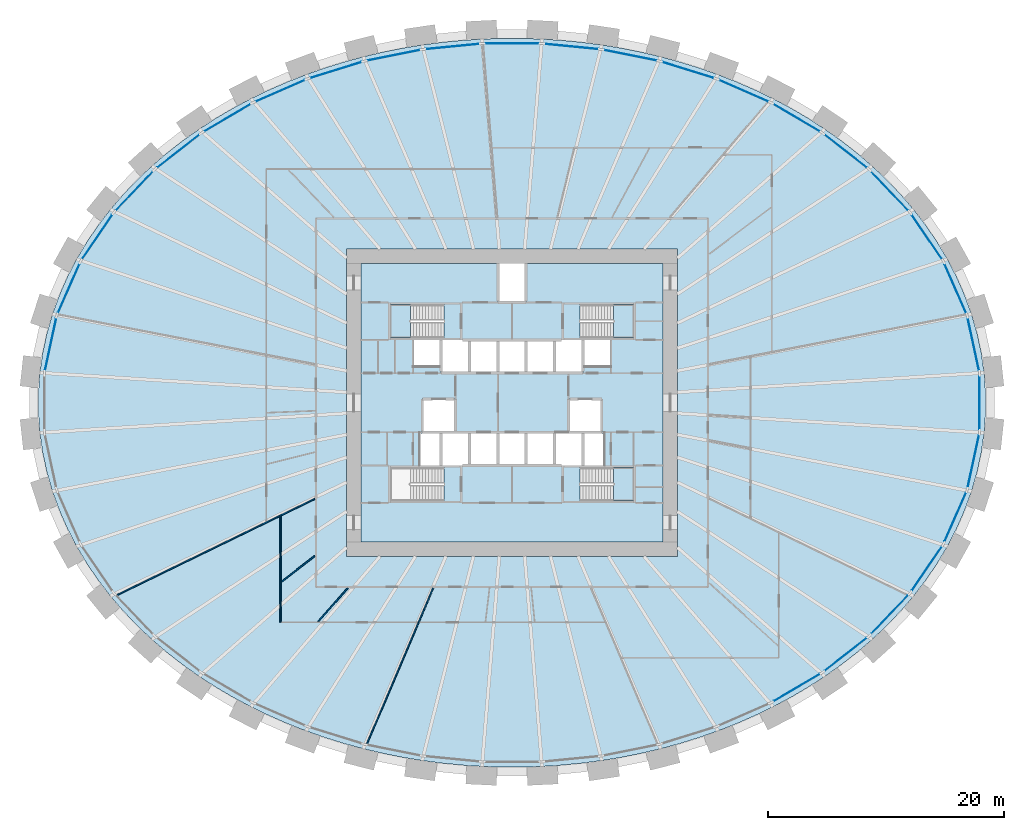
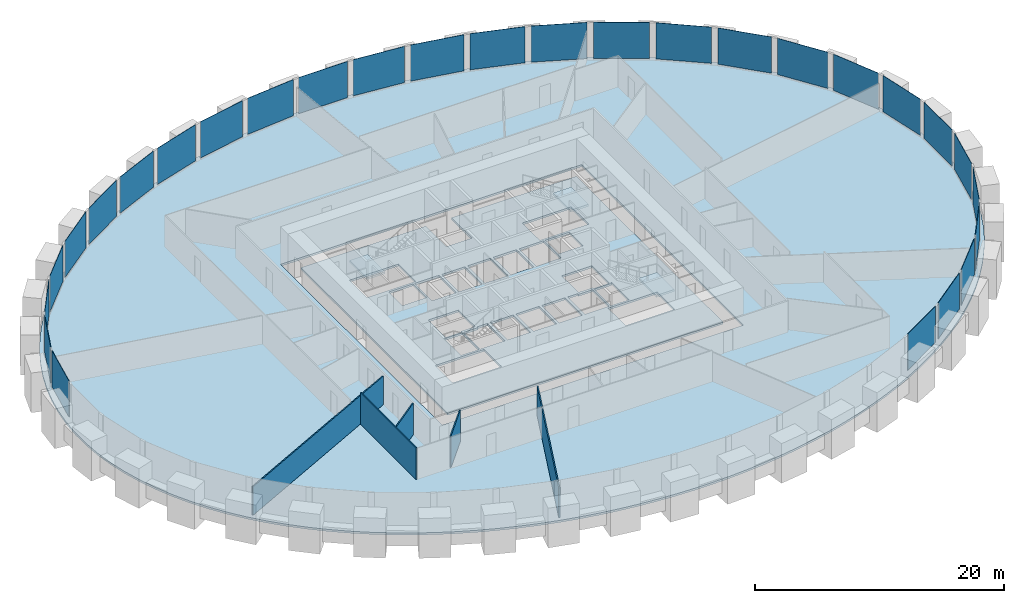
# One storey, part 5 of 11: 28 plates, 5 slabs, 5 walls, 4 elements without a shape of their own.
"""IFC4 building model written with IfcOpenShell, lengths in metres."""

import ifcopenshell
import ifcopenshell.guid

model = None  # the IFC model being written
_history = None  # IfcOwnerHistory: only IFC2X3 demands one
_inside = {}  # id of a spatial element -> (the spatial element, [elements in it])
_under = {}  # id of a project, library or spatial element -> (it, [spatial elements below it])
_declared = {}  # id of a project -> (the project, [libraries it declares])
_typed = {}  # id of a type object -> (the type object, [elements of that type])
_made_of = {}  # id of a material, layer set ... -> (it, [elements and type objects made of it])


def new_model(schema):
    """Start an empty IFC model of exactly this schema.

    Asked for "IFC4X3", IfcOpenShell would pick the latest addendum, in which some entities
    have other attributes; the version numbers below select the first issue.
    IFC2X3 requires an IfcOwnerHistory on every rooted entity: one is made here for all.
    """
    global model, _history
    if schema == "IFC4X3":
        model = ifcopenshell.file(schema_version=(4, 3, 0, 0))
    else:
        model = ifcopenshell.file(schema=schema)
    _inside.clear()
    _under.clear()
    _declared.clear()
    _typed.clear()
    _made_of.clear()
    _history = None
    if model.schema == "IFC2X3":
        org = make("IfcOrganization", Name="unknown")
        user = make(
            "IfcPersonAndOrganization",
            ThePerson=make("IfcPerson", FamilyName="unknown"),
            TheOrganization=org,
        )
        app = make(
            "IfcApplication",
            ApplicationDeveloper=org,
            Version="unknown",
            ApplicationFullName="unknown",
            ApplicationIdentifier="unknown",
        )
        _history = make(
            "IfcOwnerHistory",
            OwningUser=user,
            OwningApplication=app,
            ChangeAction="ADDED",
            CreationDate=0,
        )
    return model


def make(cls, **values):
    """One entity of the class cls with the attributes given. An attribute that is None is left unset."""
    return model.create_entity(
        cls, **{name: value for name, value in values.items() if value is not None}
    )


def rooted(cls, **values):
    """An entity with a GlobalId (a new one), such as an element, a storey or a relation."""
    return make(cls, GlobalId=ifcopenshell.guid.new(), OwnerHistory=_history, **values)


def si_unit(unit_type, name, prefix=None):
    """IfcSIUnit, for example si_unit("LENGTHUNIT", "METRE", prefix="MILLI")."""
    return make("IfcSIUnit", UnitType=unit_type, Prefix=prefix, Name=name)


def assignment(units):
    """IfcUnitAssignment: the units of a project."""
    return None if units is None else make("IfcUnitAssignment", Units=units)


def point(xyz):
    """IfcCartesianPoint."""
    return None if xyz is None else make("IfcCartesianPoint", Coordinates=xyz)


def direction(xyz):
    """IfcDirection."""
    return None if xyz is None else make("IfcDirection", DirectionRatios=xyz)


def frame(location, z_axis=None, x_axis=None):
    """IfcAxis2Placement3D, a coordinate frame: its origin and axes. An axis left out is left unset."""
    return make(
        "IfcAxis2Placement3D",
        Location=point(location),
        Axis=direction(z_axis),
        RefDirection=direction(x_axis),
    )


def frame_2d(location, x_axis=None):
    """IfcAxis2Placement2D, a coordinate frame in the plane: its origin and x axis."""
    return make(
        "IfcAxis2Placement2D", Location=point(location), RefDirection=direction(x_axis)
    )


def origin():
    """The frame at (0, 0, 0) with its axes left unset."""
    return frame((0.0, 0.0, 0.0))


def origin_2d():
    """The frame at (0, 0) in the plane with its x axis left unset."""
    return frame_2d((0.0, 0.0))


def place(relative_to, where):
    """IfcLocalPlacement: puts the frame where relative to a parent placement (None: the world)."""
    return make(
        "IfcLocalPlacement", PlacementRelTo=relative_to, RelativePlacement=where
    )


def context(
    kind, dimensions, precision=None, world=None, true_north=None, identifier=None
):
    """IfcGeometricRepresentationContext, for example the 3D "Model" context."""
    return make(
        "IfcGeometricRepresentationContext",
        ContextIdentifier=identifier,
        ContextType=kind,
        CoordinateSpaceDimension=dimensions,
        Precision=precision,
        WorldCoordinateSystem=world,
        TrueNorth=true_north,
    )


def subcontext(parent, identifier, kind, view, scale=None):
    """IfcGeometricRepresentationSubContext, for example "Body" below "Model"."""
    return make(
        "IfcGeometricRepresentationSubContext",
        ContextIdentifier=identifier,
        ContextType=kind,
        ParentContext=parent,
        TargetScale=scale,
        TargetView=view,
    )


def project(units=None, contexts=None):
    """IfcProject with its units and contexts."""
    return rooted(
        "IfcProject",
        Name="project",
        RepresentationContexts=contexts,
        UnitsInContext=assignment(units),
    )


def spatial(cls, under=None, at=None, **own):
    """A site, building, storey or space (cls), placed at a placement, below another one or the project."""
    s = rooted(cls, ObjectPlacement=at, **own)
    if under is not None:
        _under.setdefault(under.id(), (under, []))[1].append(s)
    return s


def polyline(points):
    """IfcPolyline through the points."""
    return make("IfcPolyline", Points=[point(p) for p in points])


def profile(cls, at=None, kind="AREA", **sizes):
    """A parametric profile (cls). Its sizes go by their IFC names, for example OverallWidth=200.0."""
    return make(cls, ProfileType=kind, Position=at, **sizes)


def rectangle(**sizes):
    """IfcRectangleProfileDef."""
    return profile("IfcRectangleProfileDef", **sizes)


def outline(outer, holes=None, kind="AREA"):
    """IfcArbitraryClosedProfileDef: a profile drawn as a closed curve; with holes, ...WithVoids."""
    if holes is None:
        return make("IfcArbitraryClosedProfileDef", ProfileType=kind, OuterCurve=outer)
    return make(
        "IfcArbitraryProfileDefWithVoids",
        ProfileType=kind,
        OuterCurve=outer,
        InnerCurves=holes,
    )


def extrude(swept, where, along, depth):
    """IfcExtrudedAreaSolid: the profile swept, set in the frame where, extruded along a direction by depth."""
    return make(
        "IfcExtrudedAreaSolid",
        SweptArea=swept,
        Position=where,
        ExtrudedDirection=direction(along),
        Depth=depth,
    )


def shape(context_of_items, identifier, shape_type, items):
    """IfcShapeRepresentation: the items that make up one representation, for example the "Body"."""
    return make(
        "IfcShapeRepresentation",
        ContextOfItems=context_of_items,
        RepresentationIdentifier=identifier,
        RepresentationType=shape_type,
        Items=items,
    )


def source(mapping_origin, context_of_items, identifier, shape_type, items):
    """IfcRepresentationMap: a shape defined once, which mapped items show again and again."""
    return make(
        "IfcRepresentationMap",
        MappingOrigin=mapping_origin,
        MappedRepresentation=shape(context_of_items, identifier, shape_type, items),
    )


def transform(
    local_origin,
    x_axis=None,
    y_axis=None,
    z_axis=None,
    scale=None,
    scale2=None,
    scale3=None,
    uniform=True,
):
    """IfcCartesianTransformationOperator3D, or its non-uniform kind. x_axis, y_axis, z_axis: its Axis1, 2, 3."""
    if uniform:
        return make(
            "IfcCartesianTransformationOperator3D",
            Axis1=direction(x_axis),
            Axis2=direction(y_axis),
            LocalOrigin=point(local_origin),
            Scale=scale,
            Axis3=direction(z_axis),
        )
    return make(
        "IfcCartesianTransformationOperator3DnonUniform",
        Axis1=direction(x_axis),
        Axis2=direction(y_axis),
        LocalOrigin=point(local_origin),
        Scale=scale,
        Axis3=direction(z_axis),
        Scale2=scale2,
        Scale3=scale3,
    )


def mapped(mapping_source, mapping_target):
    """IfcMappedItem: shows the shape of a source again, moved by a transform."""
    return make(
        "IfcMappedItem", MappingSource=mapping_source, MappingTarget=mapping_target
    )


def material(Name=None, Category=None):
    """IfcMaterial."""
    return make("IfcMaterial", Name=Name, Category=Category)


def layer(
    of_material, thickness, ventilated=None, Name=None, Category=None, Priority=None
):
    """IfcMaterialLayer: one layer of a wall or slab, of a material (None: an air gap)."""
    return make(
        "IfcMaterialLayer",
        Material=of_material,
        LayerThickness=thickness,
        IsVentilated=ventilated,
        Name=Name,
        Category=Category,
        Priority=Priority,
    )


def layer_set(layers, Name=None):
    """IfcMaterialLayerSet."""
    return make("IfcMaterialLayerSet", MaterialLayers=layers, LayerSetName=Name)


def made_of(thing, what):
    """Note that an element or type object is made of a material, layer set ...; save() writes the relation."""
    if what is not None:
        _made_of.setdefault(what.id(), (what, []))[1].append(thing)
    return thing


def type_object(cls, material=None, **own):
    """A type object (cls), such as IfcWallType, which elements share."""
    return made_of(rooted(cls, **own), material)


def element(
    cls,
    number,
    at=None,
    inside=None,
    cuts=None,
    type_object=None,
    material=None,
    context=None,
    identifier="Body",
    shape_type=None,
    held_by="IfcProductDefinitionShape",
    body=None,
    shapes=None,
    **own,
):
    """One element of the class cls, such as IfcWall. Its Tag is "e" and its number.

    at: its placement. inside: the storey or other place that contains it. cuts: it is an
    opening in that element (IfcRelVoidsElement). A single representation is given by context,
    identifier, shape_type and body (its items); several are given by shapes. held_by: the class
    of the entity that holds the representations. save() writes the other relations.
    """
    e = rooted(cls, Tag="e%d" % number, ObjectPlacement=at, **own)
    if body is not None:
        shapes = [shape(context, identifier, shape_type, body)]
    if shapes is not None:
        e.Representation = make(held_by, Representations=shapes)
    if inside is not None:
        _inside.setdefault(inside.id(), (inside, []))[1].append(e)
    if cuts is not None:
        rooted(
            "IfcRelVoidsElement", RelatingBuildingElement=cuts, RelatedOpeningElement=e
        )
    if type_object is not None:
        _typed.setdefault(type_object.id(), (type_object, []))[1].append(e)
    return made_of(e, material)


def aggregate(whole, parts):
    """IfcRelAggregates: a whole, such as a stair, and the parts it consists of."""
    return rooted("IfcRelAggregates", RelatingObject=whole, RelatedObjects=parts)


def save(model, path):
    """Write the relations noted so far, then the file.

    IfcRelAggregates (storeys below a building ...), IfcRelContainedInSpatialStructure (elements
    in a storey), IfcRelDefinesByType, IfcRelAssociatesMaterial and IfcRelDeclares: one each for
    every whole, place, type object, material and project.
    """
    for whole, parts in _under.values():
        aggregate(whole, parts)
    for where, things in _inside.values():
        rooted(
            "IfcRelContainedInSpatialStructure",
            RelatedElements=things,
            RelatingStructure=where,
        )
    for kind, things in _typed.values():
        rooted("IfcRelDefinesByType", RelatedObjects=things, RelatingType=kind)
    for what, things in _made_of.values():
        rooted("IfcRelAssociatesMaterial", RelatedObjects=things, RelatingMaterial=what)
    for by, libraries in _declared.values():
        rooted("IfcRelDeclares", RelatingContext=by, RelatedDefinitions=libraries)
    model.write(path)


model = new_model("IFC4")

# Units and contexts
model_context = context("Model", 3, precision=1e-05, world=origin(), true_north=direction((0.0, 1.0)))
body_context = subcontext(model_context, "Body", "Model", "MODEL_VIEW")
ifc_project = project(units=[si_unit("LENGTHUNIT", "METRE"), si_unit("AREAUNIT", "SQUARE_METRE"), si_unit("VOLUMEUNIT", "CUBIC_METRE"), si_unit("PLANEANGLEUNIT", "RADIAN"), si_unit("MASSUNIT", "GRAM", prefix="KILO")], contexts=[model_context])

# Site, building, storey
site_placement = place(None, origin())
site = spatial("IfcSite", under=ifc_project, at=site_placement, CompositionType="ELEMENT")
building_placement = place(site_placement, origin())
building = spatial("IfcBuilding", under=site, at=building_placement, Name="Embergate Tower", CompositionType="ELEMENT")
storey_placement = place(building_placement, frame((0.0, 0.0, 69.800048828125)))
storey = spatial("IfcBuildingStorey", under=building, at=storey_placement, Name="L13", CompositionType="ELEMENT", Elevation=69.800048828125)

# Slab
ifc_material_1 = material(Name="Concrete C40", Category="concrete")
ifc_layer_1 = layer(ifc_material_1, 0.199951171875)
ifc_layer_set_1 = layer_set([ifc_layer_1], Name="Concrete C40")
slab_type_1 = type_object("IfcSlabType", Name="Composite floor slab C40 200", PredefinedType="FLOOR", material=ifc_layer_set_1)
shared_shape_1 = source(origin(), body_context, "Body", "SweptSolid", [
    extrude(outline(polyline([(0.0, 0.0), (1.69580078125, 0.0), (3.391845703125, 0.054931640625), (5.087890625, 0.166015625), (6.77685546875, 0.33203125), (8.454833984375, 0.552978515625), (10.135986328125, 0.8310546875), (11.798828125, 1.1650390625), (13.44287109375, 1.552978515625), (15.08984375, 2.0029296875), (16.7099609375, 2.508056640625), (18.2998046875, 3.06591796875), (19.891845703125, 3.69189453125), (21.447021484375, 4.37109375), (22.9599609375, 5.10400390625), (24.472900390625, 5.910888671875), (25.934814453125, 6.77099609375), (27.344970703125, 7.681884765625), (28.744873046875, 8.675048828125), (30.0830078125, 9.718994140625), (31.35400390625, 10.81103515625), (32.601806640625, 11.991943359375), (33.77197265625, 13.219970703125), (34.86279296875, 14.489990234375), (35.908935546875, 15.85302734375), (36.86181640625, 17.256103515625), (37.720947265625, 18.694091796875), (38.5078125, 20.216064453125), (39.18896484375, 21.76904296875), (39.761962890625, 23.346923828125), (40.23486328125, 24.987060546875), (40.591796875, 26.64404296875), (40.830810546875, 28.31396484375), (40.951904296875, 30.007080078125), (40.951904296875, 31.700927734375), (40.830810546875, 33.39404296875), (40.591796875, 35.06396484375), (40.23486328125, 36.720947265625), (39.761962890625, 38.361083984375), (39.18896484375, 39.93896484375), (38.5078125, 41.491943359375), (37.720947265625, 43.013916015625), (36.86181640625, 44.451904296875), (35.908935546875, 45.85498046875), (34.86279296875, 47.218017578125), (33.77197265625, 48.488037109375), (32.601806640625, 49.716064453125), (31.35400390625, 50.89697265625), (30.0830078125, 51.989013671875), (28.744873046875, 53.032958984375), (27.344970703125, 54.026123046875), (25.934814453125, 54.93701171875), (24.472900390625, 55.797119140625), (22.9599609375, 56.60400390625), (21.447021484375, 57.3369140625), (19.891845703125, 58.01611328125), (18.2998046875, 58.64208984375), (16.7099609375, 59.199951171875), (15.08984375, 59.705078125), (13.44287109375, 60.155029296875), (11.798828125, 60.54296875), (10.135986328125, 60.876953125), (8.454833984375, 61.155029296875), (6.77685546875, 61.3759765625), (5.087890625, 61.5419921875), (3.391845703125, 61.653076171875), (1.69580078125, 61.7080078125), (0.0, 61.7080078125), (-1.696044921875, 61.653076171875), (-3.39208984375, 61.5419921875), (-5.0810546875, 61.3759765625), (-6.759033203125, 61.155029296875), (-8.440185546875, 60.876953125), (-10.10302734375, 60.54296875), (-11.7470703125, 60.155029296875), (-13.39404296875, 59.705078125), (-15.01416015625, 59.199951171875), (-16.60400390625, 58.64208984375), (-18.196044921875, 58.01611328125), (-19.751220703125, 57.3369140625), (-21.26416015625, 56.60400390625), (-22.777099609375, 55.797119140625), (-24.239013671875, 54.93701171875), (-25.649169921875, 54.026123046875), (-27.049072265625, 53.032958984375), (-28.38720703125, 51.989013671875), (-29.658203125, 50.89697265625), (-30.906005859375, 49.716064453125), (-32.076171875, 48.488037109375), (-33.1669921875, 47.218017578125), (-34.213134765625, 45.85498046875), (-35.166015625, 44.451904296875), (-36.025146484375, 43.013916015625), (-36.81201171875, 41.491943359375), (-37.4931640625, 39.93896484375), (-38.066162109375, 38.361083984375), (-38.5390625, 36.720947265625), (-38.89599609375, 35.06396484375), (-39.135009765625, 33.39404296875), (-39.256103515625, 31.700927734375), (-39.256103515625, 30.007080078125), (-39.135009765625, 28.31396484375), (-38.89599609375, 26.64404296875), (-38.5390625, 24.987060546875), (-38.066162109375, 23.346923828125), (-37.4931640625, 21.76904296875), (-36.81201171875, 20.216064453125), (-36.025146484375, 18.694091796875), (-35.166015625, 17.256103515625), (-34.213134765625, 15.85302734375), (-33.1669921875, 14.489990234375), (-32.076171875, 13.219970703125), (-30.906005859375, 11.991943359375), (-29.658203125, 10.81103515625), (-28.38720703125, 9.718994140625), (-27.049072265625, 8.675048828125), (-25.649169921875, 7.681884765625), (-24.239013671875, 6.77099609375), (-22.777099609375, 5.910888671875), (-21.26416015625, 5.10400390625), (-19.751220703125, 4.37109375), (-18.196044921875, 3.69189453125), (-16.60400390625, 3.06591796875), (-15.01416015625, 2.508056640625), (-13.39404296875, 2.0029296875), (-11.7470703125, 1.552978515625), (-10.10302734375, 1.1650390625), (-8.440185546875, 0.8310546875), (-6.759033203125, 0.552978515625), (-5.0810546875, 0.33203125), (-3.39208984375, 0.166015625), (-1.696044921875, 0.054931640625), (0.0, 0.0)]), holes=[polyline([(-13.152099609375, 17.85400390625), (-13.152099609375, 43.85400390625), (14.847900390625, 43.85400390625), (14.847900390625, 17.85400390625), (-13.152099609375, 17.85400390625)])]), origin(), (0.0, 0.0, 1.0), 0.199951171875),
])
slab_1_placement = place(storey_placement, frame((-0.847900390625, -30.85400390625, -0.199951171875)))
element("IfcSlab", 1, at=slab_1_placement, inside=storey, type_object=slab_type_1, Name="SLB-L13-00", PredefinedType="FLOOR", context=body_context, shape_type="MappedRepresentation", body=[
    mapped(shared_shape_1, transform((0.0, 0.0, 0.0))),
])

# Curtain wall, plates
ifc_material_2 = material(Name="Aluminium and glass", Category="aluminium")
curtain_wall_type = type_object("IfcCurtainWallType", Name="Recessed office glazing", PredefinedType="NOTDEFINED", material=ifc_material_2)
curtain_wall_placement = place(storey_placement, origin())
curtain_wall = element("IfcCurtainWall", 2, at=curtain_wall_placement, inside=storey, type_object=curtain_wall_type, Name="Recessed office glazing ring", ObjectType="RECESSED OFFICE GLAZING", PredefinedType="USERDEFINED")
ifc_material_3 = material(Name="Triple glazing, low-emissivity coating", Category="glass")
ifc_layer_2 = layer(ifc_material_3, 0.035888671875)
ifc_layer_set_2 = layer_set([ifc_layer_2], Name="Triple glazing, low-emissivity coating")
plate_type = type_object("IfcPlateType", Name="Office glazing unit", PredefinedType="CURTAIN_PANEL", material=ifc_layer_set_2)
shared_shape_2 = source(origin(), body_context, "Body", "SweptSolid", [
    extrude(rectangle(XDim=4.50390625, YDim=0.035888671875, at=origin_2d()), origin(), (0.0, 0.0, 1.0), 3.550048828125),
])
plate_1_placement = place(storey_placement, frame((31.978515625, 17.935546875, 0.14990234375), z_axis=(0.0, 0.0, 1.0), x_axis=(-0.690129995266, 0.723685421737, 0.0)))
plate_1 = element("IfcPlate", 3, at=plate_1_placement, type_object=plate_type, Name="CW panel 4.1", PredefinedType="CURTAIN_PANEL", context=body_context, shape_type="MappedRepresentation", body=[
    mapped(shared_shape_2, transform((0.0, 0.0, 0.0))),
])
plate_2_placement = place(storey_placement, frame((-31.978515625, 17.935546875, 0.14990234375), z_axis=(0.0, 0.0, 1.0), x_axis=(-0.690129995266, -0.723685421737, 0.0)))
plate_2 = element("IfcPlate", 4, at=plate_2_placement, type_object=plate_type, Name="CW panel 18.1", PredefinedType="CURTAIN_PANEL", context=body_context, shape_type="MappedRepresentation", body=[
    mapped(shared_shape_2, transform((0.0, 0.0, 0.0))),
])
plate_3_placement = place(storey_placement, frame((31.978515625, -17.935546875, 0.14990234375), z_axis=(0.0, 0.0, 1.0), x_axis=(0.690129995266, 0.723685421737, 0.0)))
plate_3 = element("IfcPlate", 5, at=plate_3_placement, type_object=plate_type, Name="CW panel 40.1", PredefinedType="CURTAIN_PANEL", context=body_context, shape_type="MappedRepresentation", body=[
    mapped(shared_shape_2, transform((0.0, 0.0, 0.0))),
])
shared_shape_3 = source(origin(), body_context, "Body", "SweptSolid", [
    extrude(rectangle(XDim=4.479248046875, YDim=0.035888671875, at=origin_2d()), origin(), (0.0, 0.0, 1.0), 3.550048828125),
])
plate_4_placement = place(storey_placement, frame((39.069091796875, 4.94189453125, 0.14990234375), z_axis=(0.0, 0.0, 1.0), x_axis=(-0.210394978653, 0.977616465163, 0.0)))
plate_4 = element("IfcPlate", 6, at=plate_4_placement, type_object=plate_type, Name="CW panel 1.1", PredefinedType="CURTAIN_PANEL", context=body_context, shape_type="MappedRepresentation", body=[
    mapped(shared_shape_3, transform((0.0, 0.0, 0.0))),
])
plate_5_placement = place(storey_placement, frame((-39.069091796875, 4.94189453125, 0.14990234375), z_axis=(0.0, 0.0, 1.0), x_axis=(-0.210394978653, -0.977616465163, 0.0)))
plate_5 = element("IfcPlate", 7, at=plate_5_placement, type_object=plate_type, Name="CW panel 21.1", PredefinedType="CURTAIN_PANEL", context=body_context, shape_type="MappedRepresentation", body=[
    mapped(shared_shape_3, transform((0.0, 0.0, 0.0))),
])
plate_6_placement = place(storey_placement, frame((39.069091796875, -4.94189453125, 0.14990234375), z_axis=(0.0, 0.0, 1.0), x_axis=(0.210394978653, 0.977616465163, 0.0)))
plate_6 = element("IfcPlate", 8, at=plate_6_placement, type_object=plate_type, Name="CW panel 43.1", PredefinedType="CURTAIN_PANEL", context=body_context, shape_type="MappedRepresentation", body=[
    mapped(shared_shape_3, transform((0.0, 0.0, 0.0))),
])
shared_shape_4 = source(origin(), body_context, "Body", "SweptSolid", [
    extrude(rectangle(XDim=4.486328125, YDim=0.035888671875, at=origin_2d()), origin(), (0.0, 0.0, 1.0), 3.550048828125),
])
plate_7_placement = place(storey_placement, frame((37.537841796875, 9.677978515625, 0.14990234375), z_axis=(0.0, 0.0, 1.0), x_axis=(-0.401647306074, 0.915794431913, 0.0)))
plate_7 = element("IfcPlate", 9, at=plate_7_placement, type_object=plate_type, Name="CW panel 2.1", PredefinedType="CURTAIN_PANEL", context=body_context, shape_type="MappedRepresentation", body=[
    mapped(shared_shape_4, transform((0.0, 0.0, 0.0))),
])
plate_8_placement = place(storey_placement, frame((-37.537841796875, 9.677978515625, 0.14990234375), z_axis=(0.0, 0.0, 1.0), x_axis=(-0.401647306074, -0.915794431913, 0.0)))
plate_8 = element("IfcPlate", 10, at=plate_8_placement, type_object=plate_type, Name="CW panel 20.1", PredefinedType="CURTAIN_PANEL", context=body_context, shape_type="MappedRepresentation", body=[
    mapped(shared_shape_4, transform((0.0, 0.0, 0.0))),
])
plate_9_placement = place(storey_placement, frame((37.537841796875, -9.677978515625, 0.14990234375), z_axis=(0.0, 0.0, 1.0), x_axis=(0.401647306074, 0.915794431913, 0.0)))
plate_9 = element("IfcPlate", 11, at=plate_9_placement, type_object=plate_type, Name="CW panel 42.1", PredefinedType="CURTAIN_PANEL", context=body_context, shape_type="MappedRepresentation", body=[
    mapped(shared_shape_4, transform((0.0, 0.0, 0.0))),
])
shared_shape_5 = source(origin(), body_context, "Body", "SweptSolid", [
    extrude(rectangle(XDim=4.495361328125, YDim=0.035888671875, at=origin_2d()), origin(), (0.0, 0.0, 1.0), 3.550048828125),
])
plate_10_placement = place(storey_placement, frame((35.122314453125, 14.044189453125, 0.14990234375), z_axis=(0.0, 0.0, 1.0), x_axis=(-0.562337412243, 0.826907875638, 0.0)))
plate_10 = element("IfcPlate", 12, at=plate_10_placement, type_object=plate_type, Name="CW panel 3.1", PredefinedType="CURTAIN_PANEL", context=body_context, shape_type="MappedRepresentation", body=[
    mapped(shared_shape_5, transform((0.0, 0.0, 0.0))),
])
plate_11_placement = place(storey_placement, frame((-35.122314453125, 14.044189453125, 0.14990234375), z_axis=(0.0, 0.0, 1.0), x_axis=(-0.562337412243, -0.826907875638, 0.0)))
plate_11 = element("IfcPlate", 13, at=plate_11_placement, type_object=plate_type, Name="CW panel 19.1", PredefinedType="CURTAIN_PANEL", context=body_context, shape_type="MappedRepresentation", body=[
    mapped(shared_shape_5, transform((0.0, 0.0, 0.0))),
])
plate_12_placement = place(storey_placement, frame((35.122314453125, -14.044189453125, 0.14990234375), z_axis=(0.0, 0.0, 1.0), x_axis=(0.562337412243, 0.826907875638, 0.0)))
plate_12 = element("IfcPlate", 14, at=plate_12_placement, type_object=plate_type, Name="CW panel 41.1", PredefinedType="CURTAIN_PANEL", context=body_context, shape_type="MappedRepresentation", body=[
    mapped(shared_shape_5, transform((0.0, 0.0, 0.0))),
])
shared_shape_6 = source(origin(), body_context, "Body", "SweptSolid", [
    extrude(rectangle(XDim=4.51171875, YDim=0.035888671875, at=origin_2d()), origin(), (0.0, 0.0, 1.0), 3.550048828125),
])
plate_13_placement = place(storey_placement, frame((28.26171875, 21.301513671875, 0.14990234375), z_axis=(0.0, 0.0, 1.0), x_axis=(-0.788316897722, 0.615269427784, 0.0)))
plate_13 = element("IfcPlate", 15, at=plate_13_placement, type_object=plate_type, Name="CW panel 5.1", PredefinedType="CURTAIN_PANEL", context=body_context, shape_type="MappedRepresentation", body=[
    mapped(shared_shape_6, transform((0.0, 0.0, 0.0))),
])
plate_14_placement = place(storey_placement, frame((-28.26171875, 21.301513671875, 0.14990234375), z_axis=(0.0, 0.0, 1.0), x_axis=(-0.788316897722, -0.615269427784, 0.0)))
plate_14 = element("IfcPlate", 16, at=plate_14_placement, type_object=plate_type, Name="CW panel 17.1", PredefinedType="CURTAIN_PANEL", context=body_context, shape_type="MappedRepresentation", body=[
    mapped(shared_shape_6, transform((0.0, 0.0, 0.0))),
])
plate_15_placement = place(storey_placement, frame((28.26171875, -21.301513671875, 0.14990234375), z_axis=(0.0, 0.0, 1.0), x_axis=(0.788316897722, 0.615269427784, 0.0)))
plate_15 = element("IfcPlate", 17, at=plate_15_placement, type_object=plate_type, Name="CW panel 39.1", PredefinedType="CURTAIN_PANEL", context=body_context, shape_type="MappedRepresentation", body=[
    mapped(shared_shape_6, transform((0.0, 0.0, 0.0))),
])
shared_shape_7 = source(origin(), body_context, "Body", "SweptSolid", [
    extrude(rectangle(XDim=4.517578125, YDim=0.035888671875, at=origin_2d()), origin(), (0.0, 0.0, 1.0), 3.550048828125),
])
plate_16_placement = place(storey_placement, frame((24.107177734375, 24.1259765625, 0.14990234375), z_axis=(0.0, 0.0, 1.0), x_axis=(-0.862050514108, 0.506822366443, 0.0)))
plate_16 = element("IfcPlate", 18, at=plate_16_placement, type_object=plate_type, Name="CW panel 6.1", PredefinedType="CURTAIN_PANEL", context=body_context, shape_type="MappedRepresentation", body=[
    mapped(shared_shape_7, transform((0.0, 0.0, 0.0))),
])
plate_17_placement = place(storey_placement, frame((-24.107177734375, 24.1259765625, 0.14990234375), z_axis=(0.0, 0.0, 1.0), x_axis=(-0.862050514108, -0.506822366443, 0.0)))
plate_17 = element("IfcPlate", 19, at=plate_17_placement, type_object=plate_type, Name="CW panel 16.1", PredefinedType="CURTAIN_PANEL", context=body_context, shape_type="MappedRepresentation", body=[
    mapped(shared_shape_7, transform((0.0, 0.0, 0.0))),
])
plate_18_placement = place(storey_placement, frame((24.107177734375, -24.1259765625, 0.14990234375), z_axis=(0.0, 0.0, 1.0), x_axis=(0.862050514108, 0.506822366443, 0.0)))
plate_18 = element("IfcPlate", 20, at=plate_18_placement, type_object=plate_type, Name="CW panel 38.1", PredefinedType="CURTAIN_PANEL", context=body_context, shape_type="MappedRepresentation", body=[
    mapped(shared_shape_7, transform((0.0, 0.0, 0.0))),
])
shared_shape_8 = source(origin(), body_context, "Body", "SweptSolid", [
    extrude(rectangle(XDim=4.522216796875, YDim=0.035888671875, at=origin_2d()), origin(), (0.0, 0.0, 1.0), 3.550048828125),
])
plate_19_placement = place(storey_placement, frame((19.6259765625, 26.41259765625, 0.14990234375), z_axis=(0.0, 0.0, 1.0), x_axis=(-0.91623411399, 0.400643293168, 0.0)))
plate_19 = element("IfcPlate", 21, at=plate_19_placement, type_object=plate_type, Name="CW panel 7.1", PredefinedType="CURTAIN_PANEL", context=body_context, shape_type="MappedRepresentation", body=[
    mapped(shared_shape_8, transform((0.0, 0.0, 0.0))),
])
plate_20_placement = place(storey_placement, frame((-19.6259765625, 26.41259765625, 0.14990234375), z_axis=(0.0, 0.0, 1.0), x_axis=(-0.91623411399, -0.400643293168, 0.0)))
plate_20 = element("IfcPlate", 22, at=plate_20_placement, type_object=plate_type, Name="CW panel 15.1", PredefinedType="CURTAIN_PANEL", context=body_context, shape_type="MappedRepresentation", body=[
    mapped(shared_shape_8, transform((0.0, 0.0, 0.0))),
])
shared_shape_9 = source(origin(), body_context, "Body", "SweptSolid", [
    extrude(rectangle(XDim=4.525390625, YDim=0.035888671875, at=origin_2d()), origin(), (0.0, 0.0, 1.0), 3.550048828125),
])
plate_21_placement = place(storey_placement, frame((14.9072265625, 28.172607421875, 0.14990234375), z_axis=(0.0, 0.0, 1.0), x_axis=(-0.954771179262, 0.297341546458, 0.0)))
plate_21 = element("IfcPlate", 23, at=plate_21_placement, type_object=plate_type, Name="CW panel 8.1", PredefinedType="CURTAIN_PANEL", context=body_context, shape_type="MappedRepresentation", body=[
    mapped(shared_shape_9, transform((0.0, 0.0, 0.0))),
])
plate_22_placement = place(storey_placement, frame((-14.9072265625, 28.172607421875, 0.14990234375), z_axis=(0.0, 0.0, 1.0), x_axis=(-0.954771179262, -0.297341546458, 0.0)))
plate_22 = element("IfcPlate", 24, at=plate_22_placement, type_object=plate_type, Name="CW panel 14.1", PredefinedType="CURTAIN_PANEL", context=body_context, shape_type="MappedRepresentation", body=[
    mapped(shared_shape_9, transform((0.0, 0.0, 0.0))),
])
shared_shape_10 = source(origin(), body_context, "Body", "SweptSolid", [
    extrude(rectangle(XDim=4.527587890625, YDim=0.035888671875, at=origin_2d()), origin(), (0.0, 0.0, 1.0), 3.550048828125),
])
plate_23_placement = place(storey_placement, frame((10.024169921875, 29.419189453125, 0.14990234375), z_axis=(0.0, 0.0, 1.0), x_axis=(-0.980475221003, 0.196642673395, 0.0)))
plate_23 = element("IfcPlate", 25, at=plate_23_placement, type_object=plate_type, Name="CW panel 9.1", PredefinedType="CURTAIN_PANEL", context=body_context, shape_type="MappedRepresentation", body=[
    mapped(shared_shape_10, transform((0.0, 0.0, 0.0))),
])
plate_24_placement = place(storey_placement, frame((-10.024169921875, 29.419189453125, 0.14990234375), z_axis=(0.0, 0.0, 1.0), x_axis=(-0.980475221003, -0.196642673395, 0.0)))
plate_24 = element("IfcPlate", 26, at=plate_24_placement, type_object=plate_type, Name="CW panel 13.1", PredefinedType="CURTAIN_PANEL", context=body_context, shape_type="MappedRepresentation", body=[
    mapped(shared_shape_10, transform((0.0, 0.0, 0.0))),
])
shared_shape_11 = source(origin(), body_context, "Body", "SweptSolid", [
    extrude(rectangle(XDim=4.529052734375, YDim=0.035888671875, at=origin_2d()), origin(), (0.0, 0.0, 1.0), 3.550048828125),
])
plate_25_placement = place(storey_placement, frame((5.037109375, 30.162353515625, 0.14990234375), z_axis=(0.0, 0.0, 1.0), x_axis=(-0.995203014042, 0.097831287645, 0.0)))
plate_25 = element("IfcPlate", 27, at=plate_25_placement, type_object=plate_type, Name="CW panel 10.1", PredefinedType="CURTAIN_PANEL", context=body_context, shape_type="MappedRepresentation", body=[
    mapped(shared_shape_11, transform((0.0, 0.0, 0.0))),
])
plate_26_placement = place(storey_placement, frame((-5.037109375, 30.162353515625, 0.14990234375), z_axis=(0.0, 0.0, 1.0), x_axis=(-0.995203014042, -0.097831287645, 0.0)))
plate_26 = element("IfcPlate", 28, at=plate_26_placement, type_object=plate_type, Name="CW panel 12.1", PredefinedType="CURTAIN_PANEL", context=body_context, shape_type="MappedRepresentation", body=[
    mapped(shared_shape_11, transform((0.0, 0.0, 0.0))),
])
shared_shape_12 = source(origin(), body_context, "Body", "SweptSolid", [
    extrude(rectangle(XDim=4.529296875, YDim=0.035888671875, at=origin_2d()), origin(), (0.0, 0.0, 1.0), 3.550048828125),
])
plate_27_placement = place(storey_placement, frame((0.0, 30.409423828125, 0.14990234375), z_axis=(0.0, 0.0, 1.0), x_axis=(-1.0, 0.0, 0.0)))
plate_27 = element("IfcPlate", 29, at=plate_27_placement, type_object=plate_type, Name="CW panel 11.1", PredefinedType="CURTAIN_PANEL", context=body_context, shape_type="MappedRepresentation", body=[
    mapped(shared_shape_12, transform((0.0, 0.0, 0.0))),
])
shared_shape_13 = source(origin(), body_context, "Body", "SweptSolid", [
    extrude(rectangle(XDim=4.4765625, YDim=0.035888671875, at=origin_2d()), origin(), (0.0, 0.0, 1.0), 3.550048828125),
])
plate_28_placement = place(storey_placement, frame((39.59521484375, 0.0, 0.14990234375), z_axis=(0.0, 0.0, 1.0), x_axis=(0.0, 1.0, 0.0)))
plate_28 = element("IfcPlate", 30, at=plate_28_placement, type_object=plate_type, Name="CW panel 44.1", PredefinedType="CURTAIN_PANEL", context=body_context, shape_type="MappedRepresentation", body=[
    mapped(shared_shape_13, transform((0.0, 0.0, 0.0))),
])
aggregate(curtain_wall, [plate_4, plate_7, plate_10, plate_1, plate_13, plate_16, plate_19, plate_21, plate_23, plate_25, plate_27, plate_26, plate_24, plate_22, plate_20, plate_17, plate_14, plate_2, plate_11, plate_8, plate_5, plate_18, plate_15, plate_3, plate_12, plate_9, plate_6, plate_28])

# Stair, slab
ifc_material_4 = material(Name="Exit stair")
stair_type = type_object("IfcStairType", Name="Exit stair", PredefinedType="HALF_TURN_STAIR", material=ifc_material_4)
stair_1_placement = place(storey_placement, origin())
stair_1 = element("IfcStair", 31, at=stair_1_placement, inside=storey, type_object=stair_type, Name="L13 Exit stair 1", PredefinedType="HALF_TURN_STAIR")
ifc_layer_3 = layer(ifc_material_1, 0.199951171875)
ifc_layer_set_3 = layer_set([ifc_layer_3], Name="Concrete C40")
slab_type_2 = type_object("IfcSlabType", Name="Stair landing reinforced concrete", PredefinedType="LANDING", material=ifc_layer_set_3)
shared_shape_14 = source(origin(), body_context, "Body", "SweptSolid", [
    extrude(outline(polyline([(0.0, 0.0), (1.68994140625, 0.0), (1.68994140625, 2.800048828125), (0.0, 2.800048828125), (0.0, 0.0)])), origin(), (0.0, 0.0, 1.0), 0.199951171875),
])
slab_2_placement = place(storey_placement, frame((-10.300048828125, 5.5, 1.75)))
slab_2 = element("IfcSlab", 32, at=slab_2_placement, type_object=slab_type_2, Name="ST1 landing 1", PredefinedType="LANDING", context=body_context, shape_type="MappedRepresentation", body=[
    mapped(shared_shape_14, transform((0.0, 0.0, 0.0))),
])
aggregate(stair_1, [slab_2])

stair_2_placement = place(storey_placement, origin())
stair_2 = element("IfcStair", 33, at=stair_2_placement, inside=storey, type_object=stair_type, Name="L13 Exit stair 2", PredefinedType="HALF_TURN_STAIR")
slab_3_placement = place(storey_placement, frame((8.610107421875, 5.5, 1.75)))
slab_3 = element("IfcSlab", 34, at=slab_3_placement, type_object=slab_type_2, Name="ST2 landing 1", PredefinedType="LANDING", context=body_context, shape_type="MappedRepresentation", body=[
    mapped(shared_shape_14, transform((0.0, 0.0, 0.0))),
])
aggregate(stair_2, [slab_3])

stair_3_placement = place(storey_placement, origin())
stair_3 = element("IfcStair", 35, at=stair_3_placement, inside=storey, type_object=stair_type, Name="L13 Exit stair 4", PredefinedType="HALF_TURN_STAIR")
slab_4_placement = place(storey_placement, frame((8.610107421875, -8.300048828125, 1.75)))
slab_4 = element("IfcSlab", 36, at=slab_4_placement, type_object=slab_type_2, Name="ST4 landing 1", PredefinedType="LANDING", context=body_context, shape_type="MappedRepresentation", body=[
    mapped(shared_shape_14, transform((0.0, 0.0, 0.0))),
])
aggregate(stair_3, [slab_4])

# Slab
ifc_layer_4 = layer(ifc_material_1, 0.199951171875)
ifc_layer_set_4 = layer_set([ifc_layer_4], Name="Concrete C40")
slab_type_3 = type_object("IfcSlabType", Name="Core floor slab 200 reinforced concrete", PredefinedType="FLOOR", material=ifc_layer_set_4)
shared_shape_15 = source(origin(), body_context, "Body", "SweptSolid", [
    extrude(outline(polyline([(0.0, 0.0), (25.60009765625, 0.0), (25.60009765625, 23.60009765625), (14.0, 23.60009765625), (14.0, 20.300048828125), (11.60009765625, 20.300048828125), (11.60009765625, 23.60009765625), (0.0, 23.60009765625), (0.0, 0.0)]), holes=[polyline([(2.5, 3.5), (2.5, 6.300048828125), (7.0400390625, 6.300048828125), (7.0400390625, 3.5), (2.5, 3.5)]), polyline([(18.56005859375, 3.5), (18.56005859375, 6.300048828125), (23.10009765625, 6.300048828125), (23.10009765625, 3.5), (18.56005859375, 3.5)]), polyline([(5.0, 6.5), (5.0, 9.300048828125), (5.074951171875, 9.300048828125), (5.074951171875, 9.175048828125), (6.675048828125, 9.175048828125), (6.675048828125, 6.5), (5.0, 6.5)]), polyline([(6.800048828125, 6.5), (6.800048828125, 9.175048828125), (8.125, 9.175048828125), (8.125, 9.300048828125), (9.074951171875, 9.300048828125), (9.074951171875, 6.5), (6.800048828125, 6.5)]), polyline([(9.324951171875, 6.5), (9.324951171875, 9.300048828125), (11.47509765625, 9.300048828125), (11.47509765625, 6.5), (9.324951171875, 6.5)]), polyline([(11.72509765625, 6.5), (11.72509765625, 9.300048828125), (13.875, 9.300048828125), (13.875, 6.5), (11.72509765625, 6.5)]), polyline([(14.125, 6.5), (14.125, 9.300048828125), (16.275146484375, 9.300048828125), (16.275146484375, 6.5), (14.125, 6.5)]), polyline([(16.525146484375, 6.5), (16.525146484375, 9.300048828125), (17.47509765625, 9.300048828125), (17.47509765625, 9.175048828125), (18.800048828125, 9.175048828125), (18.800048828125, 6.5), (16.525146484375, 6.5)]), polyline([(18.925048828125, 6.5), (18.925048828125, 9.175048828125), (20.525146484375, 9.175048828125), (20.525146484375, 9.300048828125), (20.60009765625, 9.300048828125), (20.60009765625, 6.5), (18.925048828125, 6.5)]), polyline([(5.199951171875, 9.300048828125), (5.199951171875, 12.10009765625), (8.0, 12.10009765625), (8.0, 9.425048828125), (6.675048828125, 9.425048828125), (6.675048828125, 9.300048828125), (5.199951171875, 9.300048828125)]), polyline([(18.925048828125, 9.300048828125), (18.925048828125, 9.425048828125), (17.60009765625, 9.425048828125), (17.60009765625, 12.10009765625), (20.400146484375, 12.10009765625), (20.400146484375, 9.300048828125), (18.925048828125, 9.300048828125)]), polyline([(6.800048828125, 14.300048828125), (6.800048828125, 17.10009765625), (9.074951171875, 17.10009765625), (9.074951171875, 14.300048828125), (6.800048828125, 14.300048828125)]), polyline([(9.324951171875, 14.300048828125), (9.324951171875, 17.10009765625), (11.47509765625, 17.10009765625), (11.47509765625, 14.300048828125), (9.324951171875, 14.300048828125)]), polyline([(11.72509765625, 14.300048828125), (11.72509765625, 17.10009765625), (13.875, 17.10009765625), (13.875, 14.300048828125), (11.72509765625, 14.300048828125)]), polyline([(14.125, 14.300048828125), (14.125, 17.10009765625), (16.275146484375, 17.10009765625), (16.275146484375, 14.300048828125), (14.125, 14.300048828125)]), polyline([(16.525146484375, 14.300048828125), (16.525146484375, 17.10009765625), (18.800048828125, 17.10009765625), (18.800048828125, 14.300048828125), (16.525146484375, 14.300048828125)]), polyline([(4.400146484375, 14.900146484375), (4.400146484375, 17.10009765625), (6.675048828125, 17.10009765625), (6.675048828125, 14.900146484375), (4.400146484375, 14.900146484375)]), polyline([(18.925048828125, 14.900146484375), (18.925048828125, 17.10009765625), (21.199951171875, 17.10009765625), (21.199951171875, 14.900146484375), (18.925048828125, 14.900146484375)]), polyline([(2.5, 17.300048828125), (2.5, 20.10009765625), (7.0400390625, 20.10009765625), (7.0400390625, 17.300048828125), (2.5, 17.300048828125)]), polyline([(18.56005859375, 17.300048828125), (18.56005859375, 20.10009765625), (23.10009765625, 20.10009765625), (23.10009765625, 17.300048828125), (18.56005859375, 17.300048828125)])]), origin(), (0.0, 0.0, 1.0), 0.199951171875),
])
slab_5_placement = place(storey_placement, frame((-12.800048828125, -11.800048828125, -0.199951171875)))
element("IfcSlab", 37, at=slab_5_placement, inside=storey, type_object=slab_type_3, Name="Core floor slab", PredefinedType="FLOOR", context=body_context, shape_type="MappedRepresentation", body=[
    mapped(shared_shape_15, transform((0.0, 0.0, 0.0))),
])

# Walls
ifc_material_5 = material(Name="Partition dry-lined 100 wet")
ifc_layer_5 = layer(ifc_material_5, 0.10009765625)
ifc_layer_set_5 = layer_set([ifc_layer_5], Name="Partition dry-lined 100 wet")
wall_type = type_object("IfcWallType", Name="Partition dry-lined 100 wet", PredefinedType="PLUMBINGWALL", material=ifc_layer_set_5)
shared_shape_16 = source(origin(), body_context, "Body", "SweptSolid", [
    extrude(rectangle(XDim=3.561767578125, YDim=0.10009765625, at=frame_2d((1.78076171875, 0.0))), origin(), (0.0, 0.0, 1.0), 3.099853515625),
])
wall_1_placement = place(storey_placement, frame((-16.7060546875, -12.97509765625, 0.0), z_axis=(0.0, 0.0, 1.0), x_axis=(-0.789769101827, -0.613404243382, 0.0)))
element("IfcWall", 38, at=wall_1_placement, inside=storey, type_object=wall_type, Name="IP-1 wall", PredefinedType="PLUMBINGWALL", context=body_context, shape_type="MappedRepresentation", body=[
    mapped(shared_shape_16, transform((0.0, 0.0, 0.0))),
])
shared_shape_17 = source(origin(), body_context, "Body", "SweptSolid", [
    extrude(rectangle(XDim=8.97802734375, YDim=0.10009765625, at=frame_2d((4.489013671875, 0.0))), origin(), (0.0, 0.0, 1.0), 3.099853515625),
])
wall_2_placement = place(storey_placement, frame((-19.60009765625, -18.60009765625, 0.0), z_axis=(0.0, 0.0, 1.0), x_axis=(0.0, 1.0, 0.0)))
element("IfcWall", 39, at=wall_2_placement, inside=storey, type_object=wall_type, Name="IP-1 wall", PredefinedType="PLUMBINGWALL", context=body_context, shape_type="MappedRepresentation", body=[
    mapped(shared_shape_17, transform((0.0, 0.0, 0.0))),
])
shared_shape_18 = source(origin(), body_context, "Body", "SweptSolid", [
    extrude(rectangle(XDim=18.715087890625, YDim=0.10009765625, at=frame_2d((9.357421875, 0.0))), origin(), (0.0, 0.0, 1.0), 2.800048828125),
])
wall_3_placement = place(storey_placement, frame((-33.52392578125, -16.321044921875, 0.0), z_axis=(0.0, 0.0, 1.0), x_axis=(0.899107311698, 0.437728274219, 0.0)))
element("IfcWall", 40, at=wall_3_placement, inside=storey, type_object=wall_type, Name="IP-1 wall", PredefinedType="PLUMBINGWALL", context=body_context, shape_type="MappedRepresentation", body=[
    mapped(shared_shape_18, transform((0.0, 0.0, 0.0))),
])
shared_shape_19 = source(origin(), body_context, "Body", "SweptSolid", [
    extrude(rectangle(XDim=3.753173828125, YDim=0.10009765625, at=frame_2d((1.87646484375, 0.0))), origin(), (0.0, 0.0, 1.0), 3.099853515625),
])
wall_4_placement = place(storey_placement, frame((-13.919921875, -15.7080078125, 0.0), z_axis=(0.0, 0.0, 1.0), x_axis=(-0.663180002332, -0.748459941818, 0.0)))
element("IfcWall", 41, at=wall_4_placement, inside=storey, type_object=wall_type, Name="IP-1 wall", PredefinedType="PLUMBINGWALL", context=body_context, shape_type="MappedRepresentation", body=[
    mapped(shared_shape_19, transform((0.0, 0.0, 0.0))),
])
shared_shape_20 = source(origin(), body_context, "Body", "SweptSolid", [
    extrude(rectangle(XDim=14.41015625, YDim=0.10009765625, at=frame_2d((7.205078125, 0.0))), origin(), (0.0, 0.0, 1.0), 2.89990234375),
])
wall_5_placement = place(storey_placement, frame((-6.677978515625, -15.695068359375, 0.0), z_axis=(0.0, 0.0, 1.0), x_axis=(-0.391470314231, -0.920190737334, 0.0)))
element("IfcWall", 42, at=wall_5_placement, inside=storey, type_object=wall_type, Name="IP-1 wall", PredefinedType="PLUMBINGWALL", context=body_context, shape_type="MappedRepresentation", body=[
    mapped(shared_shape_20, transform((0.0, 0.0, 0.0))),
])

save(model, "model.ifc")
